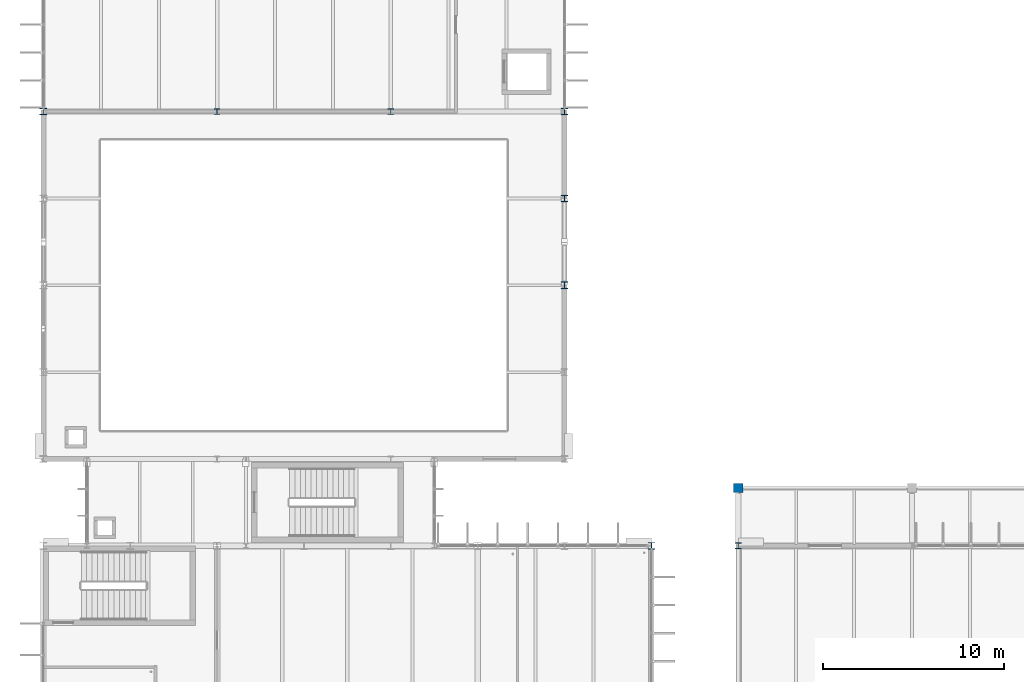
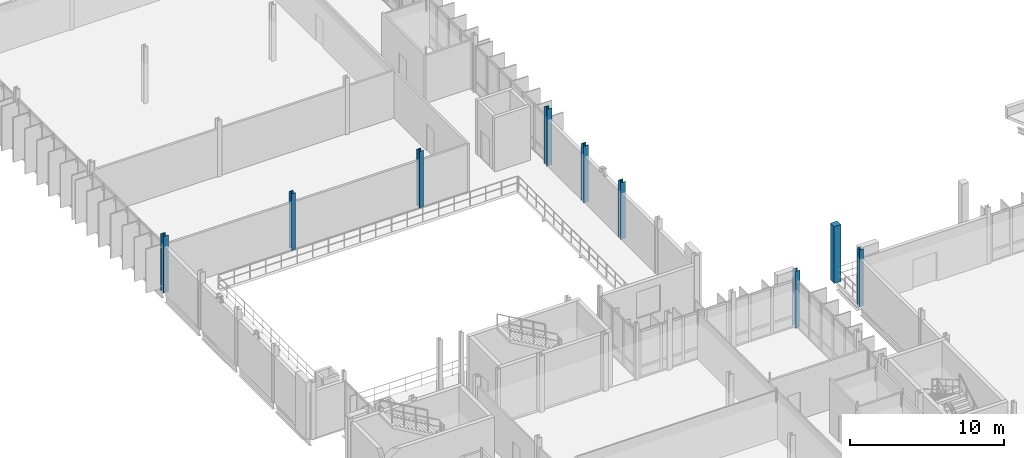
# One storey, part 4 of 107: 9 columns.
"""IFC4 building model written with IfcOpenShell, lengths in metres."""

from ifc_helpers import new_model, si_unit, direction, frame, origin, origin_2d, place, context, subcontext, project, spatial, rectangle, i_section, extrude, material, material_profile, profile_set, type_object, element, save


model = new_model("IFC4")

# Units and contexts
model_context = context("Model", 3, precision=1e-05, world=origin(), true_north=direction((0.0, 1.0)))
body_context = subcontext(model_context, "Body", "Model", "MODEL_VIEW")
ifc_project = project(units=[si_unit("LENGTHUNIT", "METRE"), si_unit("AREAUNIT", "SQUARE_METRE"), si_unit("VOLUMEUNIT", "CUBIC_METRE"), si_unit("PLANEANGLEUNIT", "RADIAN"), si_unit("MASSUNIT", "GRAM", prefix="KILO")], contexts=[model_context])

# Site, building, storey
site_placement = place(None, origin())
site = spatial("IfcSite", under=ifc_project, at=site_placement, CompositionType="ELEMENT")
building_placement = place(site_placement, origin())
building = spatial("IfcBuilding", under=site, at=building_placement, Name="Dunescarp Central Library", CompositionType="ELEMENT")
storey_placement = place(building_placement, frame((0.0, 0.0, 5.10009765625)))
storey = spatial("IfcBuildingStorey", under=building, at=storey_placement, Name="L01", CompositionType="ELEMENT", Elevation=5.10009765625)

# Columns
ifc_material_1 = material(Name="Concrete C40/50", Category="concrete")
ifc_material_profile_1 = material_profile(ifc_material_1, rectangle(XDim=0.5, YDim=0.5, at=origin_2d()), Name="RC 500x500")
ifc_profile_set_1 = profile_set([ifc_material_profile_1], Name="Concrete C40/50")
column_type_1 = type_object("IfcColumnType", Name="STR-COL-RC500", PredefinedType="COLUMN", material=ifc_profile_set_1)
column_1_placement = place(storey_placement, frame((38.39990234375, 40.0, 0.0), z_axis=(0.0, 0.0, 1.0), x_axis=(1.0, 0.0, 0.0)))
element("IfcColumn", 1, at=column_1_placement, inside=storey, type_object=column_type_1, Name="L01 column TERP-384-400", PredefinedType="COLUMN", context=body_context, shape_type="SweptSolid", body=[
    extrude(rectangle(XDim=0.5, YDim=0.5, at=origin_2d()), origin(), (0.0, 0.0, 1.0), 4.5),
])
ifc_material_2 = material(Name="Steel S355JR", Category="steel")
ifc_material_profile_2 = material_profile(ifc_material_2, i_section(OverallWidth=0.30908203125, OverallDepth=0.320556640625, WebThickness=0.013916015625, FlangeThickness=0.021728515625, at=origin_2d()), Name="UC 305x305x137")
ifc_profile_set_2 = profile_set([ifc_material_profile_2], Name="Steel S355JR")
column_type_2 = type_object("IfcColumnType", Name="STR-COL-UC305X137", PredefinedType="COLUMN", material=ifc_profile_set_2)
column_2_placement = place(storey_placement, frame((38.39990234375, 36.800048828125, 0.0), z_axis=(0.0, 0.0, 1.0), x_axis=(1.0, 0.0, 0.0)))
element("IfcColumn", 2, at=column_2_placement, inside=storey, type_object=column_type_2, Name="L01 column V2-384-368", PredefinedType="COLUMN", context=body_context, shape_type="SweptSolid", body=[
    extrude(i_section(OverallWidth=0.30908203125, OverallDepth=0.320556640625, WebThickness=0.013916015625, FlangeThickness=0.021728515625, at=origin_2d()), origin(), (0.0, 0.0, 1.0), 4.5),
])
ifc_material_profile_3 = material_profile(ifc_material_2, i_section(OverallWidth=0.311279296875, OverallDepth=0.3271484375, WebThickness=0.015869140625, FlangeThickness=0.02490234375, at=origin_2d()), Name="UC 305x305x158")
ifc_profile_set_3 = profile_set([ifc_material_profile_3], Name="Steel S355JR")
column_type_3 = type_object("IfcColumnType", Name="STR-COL-UC305X158", PredefinedType="COLUMN", material=ifc_profile_set_3)
for number, where, z_axis, x_axis, name in (
    (3, (9.60009765625, 60.800048828125, 0.0), (0.0, 0.0, 1.0), (1.0, 0.0, 0.0), "L01 column V4B-96-608"),
    (4, (19.199951171875, 60.800048828125, 0.0), (0.0, 0.0, 1.0), (1.0, 0.0, 0.0), "L01 column V4B-192-608"),
):
    element("IfcColumn", number, at=place(storey_placement, frame(where, z_axis=z_axis, x_axis=x_axis)), inside=storey, type_object=column_type_3, Name=name, PredefinedType="COLUMN", context=body_context, shape_type="SweptSolid", body=[
        extrude(i_section(OverallWidth=0.311279296875, OverallDepth=0.3271484375, WebThickness=0.015869140625, FlangeThickness=0.02490234375, at=origin_2d()), origin(), (0.0, 0.0, 1.0), 4.5),
    ])
ifc_material_profile_4 = material_profile(ifc_material_2, i_section(OverallWidth=0.37255859375, OverallDepth=0.3681640625, WebThickness=0.014404296875, FlangeThickness=0.023681640625, at=origin_2d()), Name="UC 356x368x177")
ifc_profile_set_4 = profile_set([ifc_material_profile_4], Name="Steel S355JR")
column_type_4 = type_object("IfcColumnType", Name="STR-COL-UC356X177", PredefinedType="COLUMN", material=ifc_profile_set_4)
for number, where, z_axis, x_axis, name in (
    (5, (33.60009765625, 36.800048828125, 0.0), (0.0, 0.0, 1.0), (1.0, 0.0, 0.0), "L01 column V1P-336-368"),
    (6, (0.0, 60.800048828125, 0.0), (0.0, 0.0, 1.0), (1.0, 0.0, 0.0), "L01 column V4A-0-608"),
    (7, (28.800048828125, 51.199951171875, 0.0), (0.0, 0.0, 1.0), (1.0, 0.0, 0.0), "L01 column V4A-288-512"),
    (8, (28.800048828125, 56.0, 0.0), (0.0, 0.0, 1.0), (1.0, 0.0, 0.0), "L01 column V4A-288-560"),
    (9, (28.800048828125, 60.800048828125, 0.0), (0.0, 0.0, 1.0), (1.0, 0.0, 0.0), "L01 column V4A-288-608"),
):
    element("IfcColumn", number, at=place(storey_placement, frame(where, z_axis=z_axis, x_axis=x_axis)), inside=storey, type_object=column_type_4, Name=name, PredefinedType="COLUMN", context=body_context, shape_type="SweptSolid", body=[
        extrude(i_section(OverallWidth=0.37255859375, OverallDepth=0.3681640625, WebThickness=0.014404296875, FlangeThickness=0.023681640625, at=origin_2d()), origin(), (0.0, 0.0, 1.0), 4.5),
    ])

save(model, "model.ifc")
